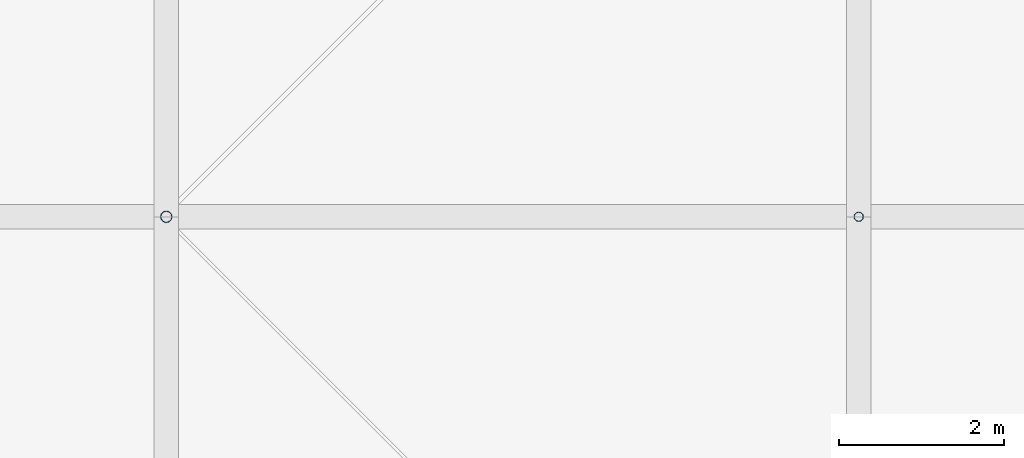
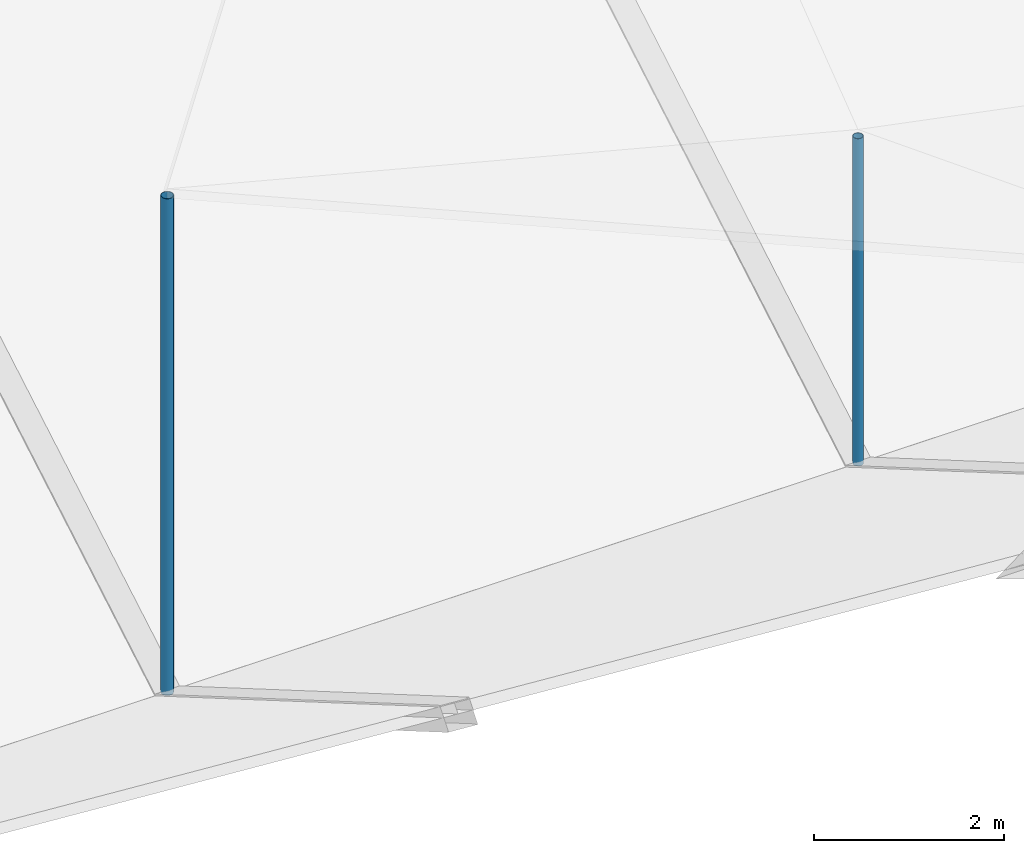
# One storey, part 82 of 111: 2 discrete accessories.
"""IFC4 building model written with IfcOpenShell, lengths in metres."""

from ifc_helpers import new_model, si_unit, direction, frame, origin, origin_2d, place, context, subcontext, project, spatial, hollow_circle, extrude, material, material_profile, profile_set, type_object, element, save


model = new_model("IFC4")

# Units and contexts
model_context = context("Model", 3, precision=1e-05, world=origin(), true_north=direction((0.0, 1.0)))
body_context = subcontext(model_context, "Body", "Model", "MODEL_VIEW")
ifc_project = project(units=[si_unit("LENGTHUNIT", "METRE"), si_unit("AREAUNIT", "SQUARE_METRE"), si_unit("VOLUMEUNIT", "CUBIC_METRE"), si_unit("PLANEANGLEUNIT", "RADIAN"), si_unit("MASSUNIT", "GRAM", prefix="KILO")], contexts=[model_context])

# Site, building, storey
site_placement = place(None, origin())
site = spatial("IfcSite", under=ifc_project, at=site_placement, CompositionType="ELEMENT")
building_placement = place(site_placement, origin())
building = spatial("IfcBuilding", under=site, at=building_placement, Name="Rain Tree Exposition and Congress Centre", CompositionType="ELEMENT")
storey_placement = place(building_placement, frame((0.0, 0.0, 19.5)))
storey = spatial("IfcBuildingStorey", under=building, at=storey_placement, Name="RF", CompositionType="ELEMENT", Elevation=19.5)

# Discrete accessories
ifc_material_1 = material(Name="Steel S355J2H", Category="steel")
ifc_material_profile_1 = material_profile(ifc_material_1, hollow_circle(Radius=0.05712890625, WallThickness=0.00439453125, at=origin_2d()), Name="CHS 114x4.5")
ifc_profile_set_1 = profile_set([ifc_material_profile_1], Name="Steel S355J2H")
discrete_accessory_type_1 = type_object("IfcDiscreteAccessoryType", Name="Roof skin post CHS 114x4.5", PredefinedType="BRACKET", material=ifc_profile_set_1)
discrete_accessory_1_placement = place(storey_placement, frame((218.39990234375, 151.199951171875, 0.5), z_axis=(0.0, 0.0, 1.0), x_axis=(1.0, 0.0, 0.0)))
element("IfcDiscreteAccessory", 1, at=discrete_accessory_1_placement, inside=storey, type_object=discrete_accessory_type_1, Name="Roof skin post B88", PredefinedType="BRACKET", context=body_context, shape_type="SweptSolid", body=[
    extrude(hollow_circle(Radius=0.05712890625, WallThickness=0.00439453125, at=origin_2d()), origin(), (0.0, 0.0, 1.0), 4.2080078125),
])
ifc_material_2 = material(Name="Steel S355J2H", Category="steel")
ifc_material_profile_2 = material_profile(ifc_material_2, hollow_circle(Radius=0.06982421875, WallThickness=0.0048828125, at=origin_2d()), Name="CHS 140x5")
ifc_profile_set_2 = profile_set([ifc_material_profile_2], Name="Steel S355J2H")
discrete_accessory_type_2 = type_object("IfcDiscreteAccessoryType", Name="Roof skin post CHS 140x5", PredefinedType="BRACKET", material=ifc_profile_set_2)
discrete_accessory_2_placement = place(storey_placement, frame((210.0, 151.199951171875, 0.5), z_axis=(0.0, 0.0, 1.0), x_axis=(1.0, 0.0, 0.0)))
element("IfcDiscreteAccessory", 2, at=discrete_accessory_2_placement, inside=storey, type_object=discrete_accessory_type_2, Name="Roof skin post B87", PredefinedType="BRACKET", context=body_context, shape_type="SweptSolid", body=[
    extrude(hollow_circle(Radius=0.06982421875, WallThickness=0.0048828125, at=origin_2d()), origin(), (0.0, 0.0, 1.0), 6.3857421875),
])

save(model, "model.ifc")
